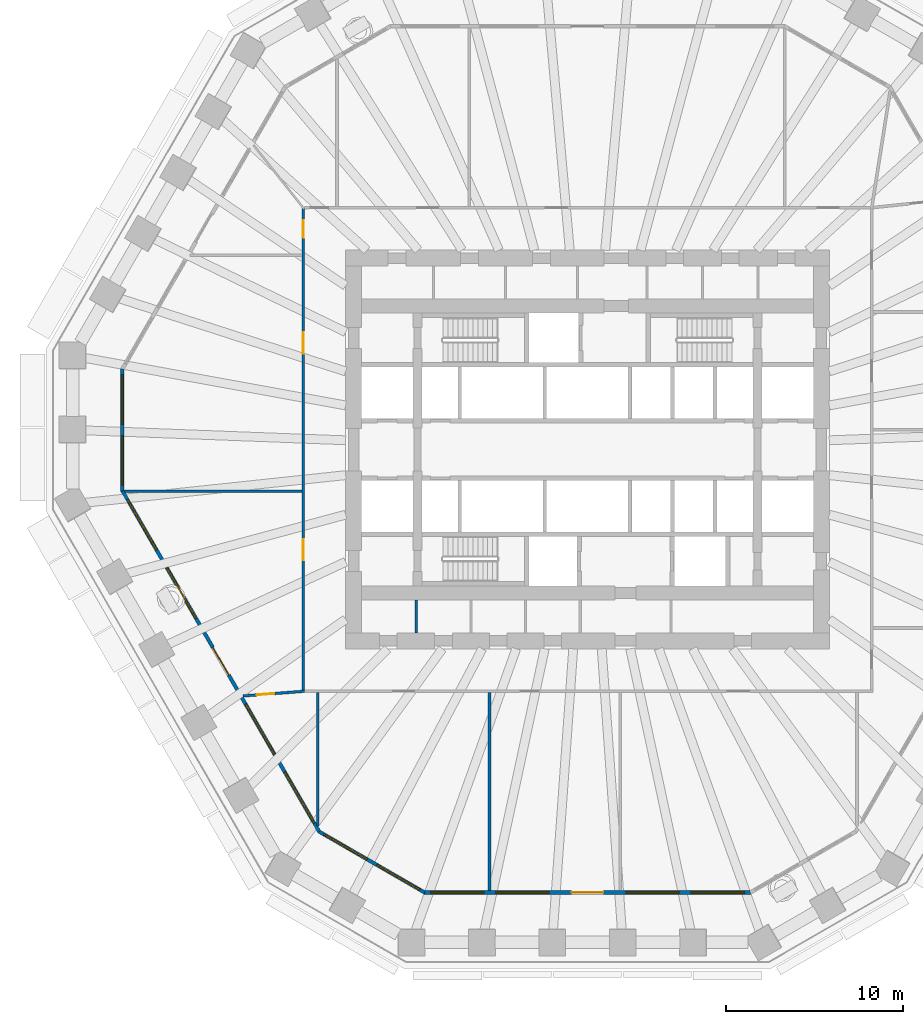
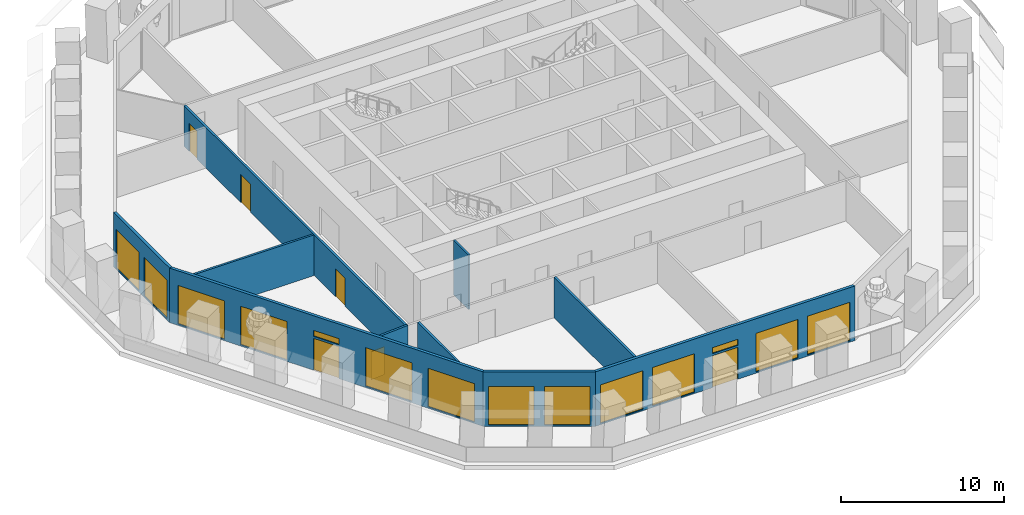
# One storey, part 3 of 12: 14 windows, 10 walls, 6 doors, 20 openings.
"""IFC4 building model written with IfcOpenShell, lengths in metres."""

from ifc_helpers import new_model, si_unit, direction, frame, frame_2d, origin, place, context, subcontext, project, spatial, polyline, rectangle, outline, extrude, material, layer, layer_set, type_object, element, fill, save


model = new_model("IFC4")

# Units and contexts
model_context = context("Model", 3, precision=1e-05, world=origin(), true_north=direction((0.0, 1.0)))
body_context = subcontext(model_context, "Body", "Model", "MODEL_VIEW")
ifc_project = project(units=[si_unit("LENGTHUNIT", "METRE"), si_unit("AREAUNIT", "SQUARE_METRE"), si_unit("VOLUMEUNIT", "CUBIC_METRE"), si_unit("PLANEANGLEUNIT", "RADIAN"), si_unit("MASSUNIT", "GRAM", prefix="KILO")], contexts=[model_context])

# Site, building, storey
site_placement = place(None, origin())
site = spatial("IfcSite", under=ifc_project, at=site_placement, CompositionType="ELEMENT")
building_placement = place(site_placement, origin())
building = spatial("IfcBuilding", under=site, at=building_placement, Name="Frailejon Research Tower", CompositionType="ELEMENT")
storey_placement = place(building_placement, frame((0.0, 0.0, 49.800048828125)))
storey = spatial("IfcBuildingStorey", under=building, at=storey_placement, Name="L11", CompositionType="ELEMENT", Elevation=49.800048828125)

# Wall
ifc_material_1 = material(Name="Plasterboard on steel studs", Category="steel")
ifc_layer_1 = layer(ifc_material_1, 0.125)
ifc_layer_set_1 = layer_set([ifc_layer_1], Name="Core partition 125")
wall_type_1 = type_object("IfcWallType", Name="Core partition 125", PredefinedType="PARTITIONING", material=ifc_layer_set_1)
wall_1_placement = place(storey_placement, frame((-9.66552734375, -10.35009765625, 0.0), z_axis=(0.0, 0.0, 1.0), x_axis=(0.0, 1.0, 0.0)))
element("IfcWall", 1, at=wall_1_placement, inside=storey, type_object=wall_type_1, Name="Core partition", PredefinedType="PARTITIONING", context=body_context, shape_type="SweptSolid", body=[
    extrude(rectangle(XDim=1.85009765625, YDim=0.125, at=frame_2d((0.925048828125, 0.0))), origin(), (0.0, 0.0, 1.0), 4.099853515625),
])

# Wall, openings, doors
ifc_material_2 = material(Name="Gypsum board and masonry partition", Category="masonry")
ifc_layer_2 = layer(ifc_material_2, 0.14990234375)
ifc_layer_set_2 = layer_set([ifc_layer_2], Name="Corridor wall EI 60, gypsum on steel studs 150")
wall_type_2 = type_object("IfcWallType", Name="Corridor wall EI 60, gypsum on steel studs 150", PredefinedType="PARTITIONING", material=ifc_layer_set_2)
wall_2_placement = place(storey_placement, frame((-16.050048828125, -13.574951171875, 0.0), z_axis=(0.0, 0.0, 1.0), x_axis=(0.0, 1.0, 0.0)))
wall_2 = element("IfcWall", 2, at=wall_2_placement, inside=storey, type_object=wall_type_2, Name="T:IW:L11:003", PredefinedType="PARTITIONING", context=body_context, shape_type="SweptSolid", body=[
    extrude(rectangle(XDim=27.175048828125, YDim=0.14990234375, at=frame_2d((13.58740234375, 0.0))), origin(), (0.0, 0.0, 1.0), 3.050048828125),
])
opening_1_placement = place(wall_2_placement, frame((25.52734375, 0.0, 0.0)))
opening_1 = element("IfcOpeningElement", 3, at=opening_1_placement, cuts=wall_2, Name="Opening D1410", PredefinedType="OPENING", context=body_context, shape_type="SweptSolid", body=[
    extrude(rectangle(XDim=1.0, YDim=2.10009765625, at=frame_2d((0.5, 1.050048828125))), frame((0.0, 0.0849609375, 0.0), z_axis=(0.0, -1.0, 0.0), x_axis=(1.0, 0.0, 0.0)), (0.0, 0.0, 1.0), 0.169921875),
])
opening_2_placement = place(wall_2_placement, frame((18.986572265625, 0.0, 0.0)))
opening_2 = element("IfcOpeningElement", 4, at=opening_2_placement, cuts=wall_2, Name="Opening D1411", PredefinedType="OPENING", context=body_context, shape_type="SweptSolid", body=[
    extrude(rectangle(XDim=1.199951171875, YDim=2.10009765625, at=frame_2d((0.60009765625, 1.050048828125))), frame((0.0, 0.0849609375, 0.0), z_axis=(0.0, -1.0, 0.0), x_axis=(1.0, 0.0, 0.0)), (0.0, 0.0, 1.0), 0.169921875),
])
opening_3_placement = place(wall_2_placement, frame((7.319091796875, 0.0, 0.0)))
opening_3 = element("IfcOpeningElement", 5, at=opening_3_placement, cuts=wall_2, Name="Opening D1412", PredefinedType="OPENING", context=body_context, shape_type="SweptSolid", body=[
    extrude(rectangle(XDim=1.199951171875, YDim=2.10009765625, at=frame_2d((0.60009765625, 1.050048828125))), frame((0.0, 0.0849609375, 0.0), z_axis=(0.0, -1.0, 0.0), x_axis=(1.0, 0.0, 0.0)), (0.0, 0.0, 1.0), 0.169921875),
])
ifc_material_3 = material(Name="Timber door leaf", Category="wood")
door_type_1 = type_object("IfcDoorType", Name="Door laboratory, timber, vision panel 1200", OperationType="NOTDEFINED", PredefinedType="DOOR", material=ifc_material_3)
door_1_placement = place(opening_2_placement, origin())
door_1 = element("IfcDoor", 6, at=door_1_placement, inside=storey, type_object=door_type_1, Name="D1411", OperationType="DOUBLE_DOOR_SINGLE_SWING", OverallHeight=2.10009765625, OverallWidth=1.199951171875, PredefinedType="DOOR", context=body_context, shape_type="SweptSolid", body=[
    extrude(rectangle(XDim=1.199951171875, YDim=2.10009765625, at=frame_2d((0.60009765625, 1.050048828125))), frame((0.0, 0.02490234375, 0.0), z_axis=(0.0, -1.0, 0.0), x_axis=(1.0, 0.0, 0.0)), (0.0, 0.0, 1.0), 0.050048828125),
])
fill(opening_2, door_1)
door_2_placement = place(opening_3_placement, origin())
door_2 = element("IfcDoor", 7, at=door_2_placement, inside=storey, type_object=door_type_1, Name="D1412", OperationType="DOUBLE_DOOR_SINGLE_SWING", OverallHeight=2.10009765625, OverallWidth=1.199951171875, PredefinedType="DOOR", context=body_context, shape_type="SweptSolid", body=[
    extrude(rectangle(XDim=1.199951171875, YDim=2.10009765625, at=frame_2d((0.60009765625, 1.050048828125))), frame((0.0, 0.02490234375, 0.0), z_axis=(0.0, -1.0, 0.0), x_axis=(1.0, 0.0, 0.0)), (0.0, 0.0, 1.0), 0.050048828125),
])
fill(opening_3, door_2)
ifc_material_4 = material(Name="Timber door leaf", Category="wood")
door_type_2 = type_object("IfcDoorType", Name="Door single leaf, timber, steel frame 1000", OperationType="NOTDEFINED", PredefinedType="DOOR", material=ifc_material_4)
door_3_placement = place(opening_1_placement, origin())
door_3 = element("IfcDoor", 8, at=door_3_placement, inside=storey, type_object=door_type_2, Name="D1410", OperationType="SINGLE_SWING_RIGHT", OverallHeight=2.10009765625, OverallWidth=1.0, PredefinedType="DOOR", context=body_context, shape_type="SweptSolid", body=[
    extrude(rectangle(XDim=1.0, YDim=2.10009765625, at=frame_2d((0.5, 1.050048828125))), frame((0.0, 0.02490234375, 0.0), z_axis=(0.0, -1.0, 0.0), x_axis=(1.0, 0.0, 0.0)), (0.0, 0.0, 1.0), 0.050048828125),
])
fill(opening_1, door_3)

# Wall
ifc_material_5 = material(Name="Gypsum board and masonry partition", Category="masonry")
ifc_layer_3 = layer(ifc_material_5, 0.14990234375)
ifc_layer_set_3 = layer_set([ifc_layer_3], Name="Laboratory partition, blockwork 150")
wall_type_3 = type_object("IfcWallType", Name="Laboratory partition, blockwork 150", PredefinedType="PARTITIONING", material=ifc_layer_set_3)
wall_3_placement = place(storey_placement, frame((-26.12060546875, -2.35791015625, 0.0), z_axis=(0.0, 0.0, 1.0), x_axis=(1.0, 0.0, 0.0)))
element("IfcWall", 9, at=wall_3_placement, inside=storey, type_object=wall_type_3, Name="T:IW:L11:013", PredefinedType="PARTITIONING", context=body_context, shape_type="SweptSolid", body=[
    extrude(rectangle(XDim=9.99560546875, YDim=0.14990234375, at=frame_2d((4.997802734375, 0.0))), origin(), (0.0, 0.0, 1.0), 3.050048828125),
])

# Wall, opening, door
wall_4_placement = place(storey_placement, frame((-19.4501953125, -13.911376953125, 0.0), z_axis=(0.0, 0.0, 1.0), x_axis=(0.997059427975, 0.076632219629, 0.0)))
wall_4 = element("IfcWall", 10, at=wall_4_placement, inside=storey, type_object=wall_type_3, Name="T:IW:L11:014", PredefinedType="PARTITIONING", context=body_context, shape_type="SweptSolid", body=[
    extrude(rectangle(XDim=3.4853515625, YDim=0.14990234375, at=frame_2d((1.74267578125, 0.0))), origin(), (0.0, 0.0, 1.0), 3.050048828125),
])
opening_4_placement = place(wall_4_placement, frame((0.777587890625, 0.0, 0.0)))
opening_4 = element("IfcOpeningElement", 11, at=opening_4_placement, cuts=wall_4, Name="Opening D1413", PredefinedType="OPENING", context=body_context, shape_type="SweptSolid", body=[
    extrude(rectangle(XDim=1.0, YDim=2.10009765625, at=frame_2d((0.5, 1.050048828125))), frame((0.0, 0.0849609375, 0.0), z_axis=(0.0, -1.0, 0.0), x_axis=(1.0, 0.0, 0.0)), (0.0, 0.0, 1.0), 0.169921875),
])
door_4_placement = place(opening_4_placement, origin())
door_4 = element("IfcDoor", 12, at=door_4_placement, inside=storey, type_object=door_type_2, Name="D1413", OperationType="SINGLE_SWING_RIGHT", OverallHeight=2.10009765625, OverallWidth=1.0, PredefinedType="DOOR", context=body_context, shape_type="SweptSolid", body=[
    extrude(rectangle(XDim=1.0, YDim=2.10009765625, at=frame_2d((0.5, 1.050048828125))), frame((0.0, 0.02490234375, 0.0), z_axis=(0.0, -1.0, 0.0), x_axis=(1.0, 0.0, 0.0)), (0.0, 0.0, 1.0), 0.050048828125),
])
fill(opening_4, door_4)

# Walls
wall_5_placement = place(storey_placement, frame((-15.2177734375, -21.2421875, 0.0), z_axis=(0.0, 0.0, 1.0), x_axis=(0.0, 1.0, 0.0)))
element("IfcWall", 13, at=wall_5_placement, inside=storey, type_object=wall_type_3, Name="T:IW:L11:015", PredefinedType="PARTITIONING", context=body_context, shape_type="SweptSolid", body=[
    extrude(rectangle(XDim=7.51708984375, YDim=0.14990234375, at=frame_2d((3.758544921875, 0.0))), origin(), (0.0, 0.0, 1.0), 3.050048828125),
])
wall_6_placement = place(storey_placement, frame((-5.530517578125, -24.90625, 0.0), z_axis=(0.0, 0.0, 1.0), x_axis=(0.0, 1.0, 0.0)))
element("IfcWall", 14, at=wall_6_placement, inside=storey, type_object=wall_type_3, Name="T:IW:L11:016", PredefinedType="PARTITIONING", context=body_context, shape_type="SweptSolid", body=[
    extrude(rectangle(XDim=11.18115234375, YDim=0.14990234375, at=frame_2d((5.590576171875, 0.0))), origin(), (0.0, 0.0, 1.0), 3.050048828125),
])

# Wall, openings, windows
ifc_material_6 = material(Name="Concrete C40/50 precast window wall panel", Category="concrete")
ifc_layer_4 = layer(ifc_material_6, 0.199951171875)
ifc_layer_set_4 = layer_set([ifc_layer_4], Name="Window wall 200")
wall_type_4 = type_object("IfcWallType", Name="Window wall 200", PredefinedType="SOLIDWALL", material=ifc_layer_set_4)
wall_7_placement = place(storey_placement, frame((-26.25146484375, 4.54345703125, 0.0), z_axis=(0.0, 0.0, 1.0), x_axis=(0.0, -1.0, 0.0)))
wall_7 = element("IfcWall", 15, at=wall_7_placement, inside=storey, type_object=wall_type_4, Name="Exterior wall L11", PredefinedType="SOLIDWALL", context=body_context, shape_type="SweptSolid", body=[
    extrude(outline(polyline([(-0.02685546875, -0.10009765625), (1.1279296875, -0.10009765625), (2.282470703125, -0.10009765625), (3.437255859375, -0.10009765625), (4.592041015625, -0.10009765625), (5.74658203125, -0.10009765625), (6.9013671875, -0.10009765625), (6.84765625, 0.10009765625), (5.7109375, 0.10009765625), (4.573974609375, 0.10009765625), (3.437255859375, 0.10009765625), (2.300537109375, 0.10009765625), (1.16357421875, 0.10009765625), (0.02685546875, 0.10009765625), (-0.02685546875, -0.10009765625)])), origin(), (0.0, 0.0, 1.0), 4.099853515625),
])
opening_5_placement = place(wall_7_placement, frame((0.318603515625, 0.0, 0.10009765625)))
opening_5 = element("IfcOpeningElement", 16, at=opening_5_placement, cuts=wall_7, Name="Opening W3", PredefinedType="OPENING", context=body_context, shape_type="SweptSolid", body=[
    extrude(rectangle(XDim=2.800048828125, YDim=2.89990234375, at=frame_2d((1.39990234375, 1.449951171875))), frame((0.0, 0.10986328125, 0.0), z_axis=(0.0, -1.0, 0.0), x_axis=(1.0, 0.0, 0.0)), (0.0, 0.0, 1.0), 0.219970703125),
])
opening_6_placement = place(wall_7_placement, frame((3.756103515625, 0.0, 0.10009765625)))
opening_6 = element("IfcOpeningElement", 17, at=opening_6_placement, cuts=wall_7, Name="Opening W3", PredefinedType="OPENING", context=body_context, shape_type="SweptSolid", body=[
    extrude(rectangle(XDim=2.800048828125, YDim=2.89990234375, at=frame_2d((1.39990234375, 1.449951171875))), frame((0.0, 0.10986328125, 0.0), z_axis=(0.0, -1.0, 0.0), x_axis=(1.0, 0.0, 0.0)), (0.0, 0.0, 1.0), 0.219970703125),
])
ifc_material_7 = material(Name="Aluminium framed double glazing", Category="aluminium")
window_type_1 = type_object("IfcWindowType", Name="Window 2800x2900", PartitioningType="SINGLE_PANEL", PredefinedType="WINDOW", material=ifc_material_7)
window_1_placement = place(opening_5_placement, origin())
window_1 = element("IfcWindow", 18, at=window_1_placement, inside=storey, type_object=window_type_1, Name="Window L11", OverallHeight=2.89990234375, OverallWidth=2.800048828125, PartitioningType="SINGLE_PANEL", PredefinedType="WINDOW", context=body_context, shape_type="SweptSolid", body=[
    extrude(rectangle(XDim=2.800048828125, YDim=2.89990234375, at=frame_2d((1.39990234375, 1.449951171875))), frame((0.0, 0.030029296875, 0.0), z_axis=(0.0, -1.0, 0.0), x_axis=(1.0, 0.0, 0.0)), (0.0, 0.0, 1.0), 0.06005859375),
])
fill(opening_5, window_1)
window_2_placement = place(opening_6_placement, origin())
window_2 = element("IfcWindow", 19, at=window_2_placement, inside=storey, type_object=window_type_1, Name="Window L11", OverallHeight=2.89990234375, OverallWidth=2.800048828125, PartitioningType="SINGLE_PANEL", PredefinedType="WINDOW", context=body_context, shape_type="SweptSolid", body=[
    extrude(rectangle(XDim=2.800048828125, YDim=2.89990234375, at=frame_2d((1.39990234375, 1.449951171875))), frame((0.0, 0.030029296875, 0.0), z_axis=(0.0, -1.0, 0.0), x_axis=(1.0, 0.0, 0.0)), (0.0, 0.0, 1.0), 0.06005859375),
])
fill(opening_6, window_2)

# Wall, openings, door, windows
wall_8_placement = place(storey_placement, frame((-26.25146484375, -2.3310546875, 0.0), z_axis=(0.0, 0.0, 1.0), x_axis=(0.499999616612, -0.866025625133, 0.0)))
wall_8 = element("IfcWall", 20, at=wall_8_placement, inside=storey, type_object=wall_type_4, Name="Exterior wall L11", PredefinedType="SOLIDWALL", context=body_context, shape_type="SweptSolid", body=[
    extrude(outline(polyline([(-0.02685546875, -0.10009765625), (0.9853515625, -0.10009765625), (1.99755859375, -0.10009765625), (3.009521484375, -0.10009765625), (4.021728515625, -0.10009765625), (5.033935546875, -0.10009765625), (6.046142578125, -0.10009765625), (7.058349609375, -0.10009765625), (8.070556640625, -0.10009765625), (9.08251953125, -0.10009765625), (10.0947265625, -0.10009765625), (11.10693359375, -0.10009765625), (12.119140625, -0.10009765625), (13.13134765625, -0.10009765625), (14.143310546875, -0.10009765625), (15.155517578125, -0.10009765625), (16.167724609375, -0.10009765625), (17.179931640625, -0.10009765625), (18.192138671875, -0.10009765625), (19.204345703125, -0.10009765625), (20.21630859375, -0.10009765625), (21.228515625, -0.10009765625), (22.24072265625, -0.10009765625), (22.18701171875, 0.10009765625), (21.1796875, 0.10009765625), (20.17236328125, 0.10009765625), (19.165283203125, 0.10009765625), (18.157958984375, 0.10009765625), (17.150634765625, 0.10009765625), (16.143310546875, 0.10009765625), (15.135986328125, 0.10009765625), (14.128662109375, 0.10009765625), (13.12158203125, 0.10009765625), (12.1142578125, 0.10009765625), (11.10693359375, 0.10009765625), (10.099609375, 0.10009765625), (9.09228515625, 0.10009765625), (8.085205078125, 0.10009765625), (7.077880859375, 0.10009765625), (6.070556640625, 0.10009765625), (5.063232421875, 0.10009765625), (4.055908203125, 0.10009765625), (3.048583984375, 0.10009765625), (2.04150390625, 0.10009765625), (1.0341796875, 0.10009765625), (0.02685546875, 0.10009765625), (-0.02685546875, -0.10009765625)])), origin(), (0.0, 0.0, 1.0), 4.099853515625),
])
opening_7_placement = place(wall_8_placement, frame((0.5712890625, 0.0, 0.10009765625)))
opening_7 = element("IfcOpeningElement", 21, at=opening_7_placement, cuts=wall_8, Name="Opening W5", PredefinedType="OPENING", context=body_context, shape_type="SweptSolid", body=[
    extrude(rectangle(XDim=3.300048828125, YDim=2.89990234375, at=frame_2d((1.64990234375, 1.449951171875))), frame((0.0, 0.10986328125, 0.0), z_axis=(0.0, -1.0, 0.0), x_axis=(1.0, 0.0, 0.0)), (0.0, 0.0, 1.0), 0.219970703125),
])
opening_8_placement = place(wall_8_placement, frame((5.01416015625, 0.0, 0.10009765625)))
opening_8 = element("IfcOpeningElement", 22, at=opening_8_placement, cuts=wall_8, Name="Opening W5", PredefinedType="OPENING", context=body_context, shape_type="SweptSolid", body=[
    extrude(rectangle(XDim=3.300048828125, YDim=2.89990234375, at=frame_2d((1.64990234375, 1.449951171875))), frame((0.0, 0.10986328125, 0.0), z_axis=(0.0, -1.0, 0.0), x_axis=(1.0, 0.0, 0.0)), (0.0, 0.0, 1.0), 0.219970703125),
])
opening_9_placement = place(wall_8_placement, frame((10.206787109375, 0.0, 0.0)))
opening_9 = element("IfcOpeningElement", 23, at=opening_9_placement, cuts=wall_8, Name="Opening LG11-4", PredefinedType="OPENING", context=body_context, shape_type="SweptSolid", body=[
    extrude(rectangle(XDim=1.800048828125, YDim=2.39990234375, at=frame_2d((0.89990234375, 1.199951171875))), frame((0.0, 0.10986328125, 0.0), z_axis=(0.0, -1.0, 0.0), x_axis=(1.0, 0.0, 0.0)), (0.0, 0.0, 1.0), 0.219970703125),
])
opening_10_placement = place(wall_8_placement, frame((10.206787109375, 0.0, 2.550048828125)))
opening_10 = element("IfcOpeningElement", 24, at=opening_10_placement, cuts=wall_8, Name="Opening W1", PredefinedType="OPENING", context=body_context, shape_type="SweptSolid", body=[
    extrude(rectangle(XDim=1.800048828125, YDim=0.449951171875, at=frame_2d((0.89990234375, 0.22509765625))), frame((0.0, 0.10986328125, 0.0), z_axis=(0.0, -1.0, 0.0), x_axis=(1.0, 0.0, 0.0)), (0.0, 0.0, 1.0), 0.219970703125),
])
opening_11_placement = place(wall_8_placement, frame((13.899658203125, 0.0, 0.10009765625)))
opening_11 = element("IfcOpeningElement", 25, at=opening_11_placement, cuts=wall_8, Name="Opening W5", PredefinedType="OPENING", context=body_context, shape_type="SweptSolid", body=[
    extrude(rectangle(XDim=3.300048828125, YDim=2.89990234375, at=frame_2d((1.64990234375, 1.449951171875))), frame((0.0, 0.10986328125, 0.0), z_axis=(0.0, -1.0, 0.0), x_axis=(1.0, 0.0, 0.0)), (0.0, 0.0, 1.0), 0.219970703125),
])
opening_12_placement = place(wall_8_placement, frame((18.342529296875, 0.0, 0.10009765625)))
opening_12 = element("IfcOpeningElement", 26, at=opening_12_placement, cuts=wall_8, Name="Opening W5", PredefinedType="OPENING", context=body_context, shape_type="SweptSolid", body=[
    extrude(rectangle(XDim=3.300048828125, YDim=2.89990234375, at=frame_2d((1.64990234375, 1.449951171875))), frame((0.0, 0.10986328125, 0.0), z_axis=(0.0, -1.0, 0.0), x_axis=(1.0, 0.0, 0.0)), (0.0, 0.0, 1.0), 0.219970703125),
])
ifc_material_8 = material(Name="Aluminium framed glazed door leaf", Category="aluminium")
door_type_3 = type_object("IfcDoorType", Name="Loggia door 1800x2400", OperationType="DOUBLE_DOOR_SINGLE_SWING", PredefinedType="DOOR", material=ifc_material_8)
door_5_placement = place(opening_9_placement, origin())
door_5 = element("IfcDoor", 27, at=door_5_placement, inside=storey, type_object=door_type_3, Name="Door LG11-4", OperationType="DOUBLE_DOOR_SINGLE_SWING", OverallHeight=2.39990234375, OverallWidth=1.800048828125, PredefinedType="DOOR", context=body_context, shape_type="SweptSolid", body=[
    extrude(rectangle(XDim=1.800048828125, YDim=2.39990234375, at=frame_2d((0.89990234375, 1.199951171875))), frame((0.0, 0.02490234375, 0.0), z_axis=(0.0, -1.0, 0.0), x_axis=(1.0, 0.0, 0.0)), (0.0, 0.0, 1.0), 0.050048828125),
])
fill(opening_9, door_5)
ifc_material_9 = material(Name="Aluminium framed double glazing", Category="aluminium")
window_type_2 = type_object("IfcWindowType", Name="Window 1800x450", PartitioningType="SINGLE_PANEL", PredefinedType="WINDOW", material=ifc_material_9)
window_3_placement = place(opening_10_placement, origin())
window_3 = element("IfcWindow", 28, at=window_3_placement, inside=storey, type_object=window_type_2, Name="Window L11", OverallHeight=0.449951171875, OverallWidth=1.800048828125, PartitioningType="SINGLE_PANEL", PredefinedType="WINDOW", context=body_context, shape_type="SweptSolid", body=[
    extrude(rectangle(XDim=1.800048828125, YDim=0.449951171875, at=frame_2d((0.89990234375, 0.22509765625))), frame((0.0, 0.030029296875, 0.0), z_axis=(0.0, -1.0, 0.0), x_axis=(1.0, 0.0, 0.0)), (0.0, 0.0, 1.0), 0.06005859375),
])
fill(opening_10, window_3)
ifc_material_10 = material(Name="Aluminium framed double glazing", Category="aluminium")
window_type_3 = type_object("IfcWindowType", Name="Window 3300x2900", PartitioningType="SINGLE_PANEL", PredefinedType="WINDOW", material=ifc_material_10)
window_4_placement = place(opening_7_placement, origin())
window_4 = element("IfcWindow", 29, at=window_4_placement, inside=storey, type_object=window_type_3, Name="Window L11", OverallHeight=2.89990234375, OverallWidth=3.300048828125, PartitioningType="SINGLE_PANEL", PredefinedType="WINDOW", context=body_context, shape_type="SweptSolid", body=[
    extrude(rectangle(XDim=3.300048828125, YDim=2.89990234375, at=frame_2d((1.64990234375, 1.449951171875))), frame((0.0, 0.030029296875, 0.0), z_axis=(0.0, -1.0, 0.0), x_axis=(1.0, 0.0, 0.0)), (0.0, 0.0, 1.0), 0.06005859375),
])
fill(opening_7, window_4)
window_5_placement = place(opening_8_placement, origin())
window_5 = element("IfcWindow", 30, at=window_5_placement, inside=storey, type_object=window_type_3, Name="Window L11", OverallHeight=2.89990234375, OverallWidth=3.300048828125, PartitioningType="SINGLE_PANEL", PredefinedType="WINDOW", context=body_context, shape_type="SweptSolid", body=[
    extrude(rectangle(XDim=3.300048828125, YDim=2.89990234375, at=frame_2d((1.64990234375, 1.449951171875))), frame((0.0, 0.030029296875, 0.0), z_axis=(0.0, -1.0, 0.0), x_axis=(1.0, 0.0, 0.0)), (0.0, 0.0, 1.0), 0.06005859375),
])
fill(opening_8, window_5)
window_6_placement = place(opening_11_placement, origin())
window_6 = element("IfcWindow", 31, at=window_6_placement, inside=storey, type_object=window_type_3, Name="Window L11", OverallHeight=2.89990234375, OverallWidth=3.300048828125, PartitioningType="SINGLE_PANEL", PredefinedType="WINDOW", context=body_context, shape_type="SweptSolid", body=[
    extrude(rectangle(XDim=3.300048828125, YDim=2.89990234375, at=frame_2d((1.64990234375, 1.449951171875))), frame((0.0, 0.030029296875, 0.0), z_axis=(0.0, -1.0, 0.0), x_axis=(1.0, 0.0, 0.0)), (0.0, 0.0, 1.0), 0.06005859375),
])
fill(opening_11, window_6)
window_7_placement = place(opening_12_placement, origin())
window_7 = element("IfcWindow", 32, at=window_7_placement, inside=storey, type_object=window_type_3, Name="Window L11", OverallHeight=2.89990234375, OverallWidth=3.300048828125, PartitioningType="SINGLE_PANEL", PredefinedType="WINDOW", context=body_context, shape_type="SweptSolid", body=[
    extrude(rectangle(XDim=3.300048828125, YDim=2.89990234375, at=frame_2d((1.64990234375, 1.449951171875))), frame((0.0, 0.030029296875, 0.0), z_axis=(0.0, -1.0, 0.0), x_axis=(1.0, 0.0, 0.0)), (0.0, 0.0, 1.0), 0.06005859375),
])
fill(opening_12, window_7)

# Wall, openings, windows
wall_9_placement = place(storey_placement, frame((-15.14453125, -21.56884765625, 0.0), z_axis=(0.0, 0.0, 1.0), x_axis=(0.866029458321, -0.49999297727, 0.0)))
wall_9 = element("IfcWall", 33, at=wall_9_placement, inside=storey, type_object=wall_type_4, Name="Exterior wall L11", PredefinedType="SOLIDWALL", context=body_context, shape_type="SweptSolid", body=[
    extrude(outline(polyline([(-0.02685546875, -0.10009765625), (1.1279296875, -0.10009765625), (2.282470703125, -0.10009765625), (3.437255859375, -0.10009765625), (4.592041015625, -0.10009765625), (5.74658203125, -0.10009765625), (6.9013671875, -0.10009765625), (6.84765625, 0.10009765625), (5.7109375, 0.10009765625), (4.573974609375, 0.10009765625), (3.437255859375, 0.10009765625), (2.300537109375, 0.10009765625), (1.16357421875, 0.10009765625), (0.02685546875, 0.10009765625), (-0.02685546875, -0.10009765625)])), origin(), (0.0, 0.0, 1.0), 4.099853515625),
])
opening_13_placement = place(wall_9_placement, frame((0.318603515625, 0.0, 0.10009765625)))
opening_13 = element("IfcOpeningElement", 34, at=opening_13_placement, cuts=wall_9, Name="Opening W3", PredefinedType="OPENING", context=body_context, shape_type="SweptSolid", body=[
    extrude(rectangle(XDim=2.800048828125, YDim=2.89990234375, at=frame_2d((1.39990234375, 1.449951171875))), frame((0.0, 0.10986328125, 0.0), z_axis=(0.0, -1.0, 0.0), x_axis=(1.0, 0.0, 0.0)), (0.0, 0.0, 1.0), 0.219970703125),
])
opening_14_placement = place(wall_9_placement, frame((3.756103515625, 0.0, 0.10009765625)))
opening_14 = element("IfcOpeningElement", 35, at=opening_14_placement, cuts=wall_9, Name="Opening W3", PredefinedType="OPENING", context=body_context, shape_type="SweptSolid", body=[
    extrude(rectangle(XDim=2.800048828125, YDim=2.89990234375, at=frame_2d((1.39990234375, 1.449951171875))), frame((0.0, 0.10986328125, 0.0), z_axis=(0.0, -1.0, 0.0), x_axis=(1.0, 0.0, 0.0)), (0.0, 0.0, 1.0), 0.219970703125),
])
window_8_placement = place(opening_13_placement, origin())
window_8 = element("IfcWindow", 36, at=window_8_placement, inside=storey, type_object=window_type_1, Name="Window L11", OverallHeight=2.89990234375, OverallWidth=2.800048828125, PartitioningType="SINGLE_PANEL", PredefinedType="WINDOW", context=body_context, shape_type="SweptSolid", body=[
    extrude(rectangle(XDim=2.800048828125, YDim=2.89990234375, at=frame_2d((1.39990234375, 1.449951171875))), frame((0.0, 0.030029296875, 0.0), z_axis=(0.0, -1.0, 0.0), x_axis=(1.0, 0.0, 0.0)), (0.0, 0.0, 1.0), 0.06005859375),
])
fill(opening_13, window_8)
window_9_placement = place(opening_14_placement, origin())
window_9 = element("IfcWindow", 37, at=window_9_placement, inside=storey, type_object=window_type_1, Name="Window L11", OverallHeight=2.89990234375, OverallWidth=2.800048828125, PartitioningType="SINGLE_PANEL", PredefinedType="WINDOW", context=body_context, shape_type="SweptSolid", body=[
    extrude(rectangle(XDim=2.800048828125, YDim=2.89990234375, at=frame_2d((1.39990234375, 1.449951171875))), frame((0.0, 0.030029296875, 0.0), z_axis=(0.0, -1.0, 0.0), x_axis=(1.0, 0.0, 0.0)), (0.0, 0.0, 1.0), 0.06005859375),
])
fill(opening_14, window_9)

# Wall, openings, door, windows
wall_10_placement = place(storey_placement, frame((-9.19091796875, -25.006103515625, 0.0), z_axis=(0.0, 0.0, 1.0), x_axis=(1.0, 0.0, 0.0)))
wall_10 = element("IfcWall", 38, at=wall_10_placement, inside=storey, type_object=wall_type_4, Name="Exterior wall L11", PredefinedType="SOLIDWALL", context=body_context, shape_type="SweptSolid", body=[
    extrude(outline(polyline([(-0.02685546875, -0.10009765625), (0.997314453125, -0.10009765625), (2.021484375, -0.10009765625), (3.045654296875, -0.10009765625), (4.06982421875, -0.10009765625), (5.09423828125, -0.10009765625), (6.118408203125, -0.10009765625), (7.142578125, -0.10009765625), (8.166748046875, -0.10009765625), (9.19091796875, -0.10009765625), (10.215087890625, -0.10009765625), (11.2392578125, -0.10009765625), (12.263427734375, -0.10009765625), (13.28759765625, -0.10009765625), (14.31201171875, -0.10009765625), (15.336181640625, -0.10009765625), (16.3603515625, -0.10009765625), (17.384521484375, -0.10009765625), (18.40869140625, -0.10009765625), (18.35498046875, 0.10009765625), (17.336669921875, 0.10009765625), (16.318603515625, 0.10009765625), (15.30029296875, 0.10009765625), (14.281982421875, 0.10009765625), (13.263916015625, 0.10009765625), (12.24560546875, 0.10009765625), (11.227294921875, 0.10009765625), (10.209228515625, 0.10009765625), (9.19091796875, 0.10009765625), (8.172607421875, 0.10009765625), (7.154541015625, 0.10009765625), (6.13623046875, 0.10009765625), (5.117919921875, 0.10009765625), (4.099853515625, 0.10009765625), (3.08154296875, 0.10009765625), (2.063232421875, 0.10009765625), (1.045166015625, 0.10009765625), (0.02685546875, 0.10009765625), (-0.02685546875, -0.10009765625)])), origin(), (0.0, 0.0, 1.0), 4.099853515625),
])
opening_15_placement = place(wall_10_placement, frame((0.338134765625, 0.0, 0.10009765625)))
opening_15 = element("IfcOpeningElement", 39, at=opening_15_placement, cuts=wall_10, Name="Opening W4", PredefinedType="OPENING", context=body_context, shape_type="SweptSolid", body=[
    extrude(rectangle(XDim=3.0, YDim=2.89990234375, at=frame_2d((1.5, 1.449951171875))), frame((0.0, 0.10986328125, 0.0), z_axis=(0.0, -1.0, 0.0), x_axis=(1.0, 0.0, 0.0)), (0.0, 0.0, 1.0), 0.219970703125),
])
opening_16_placement = place(wall_10_placement, frame((4.0146484375, 0.0, 0.10009765625)))
opening_16 = element("IfcOpeningElement", 40, at=opening_16_placement, cuts=wall_10, Name="Opening W4", PredefinedType="OPENING", context=body_context, shape_type="SweptSolid", body=[
    extrude(rectangle(XDim=3.0, YDim=2.89990234375, at=frame_2d((1.5, 1.449951171875))), frame((0.0, 0.10986328125, 0.0), z_axis=(0.0, -1.0, 0.0), x_axis=(1.0, 0.0, 0.0)), (0.0, 0.0, 1.0), 0.219970703125),
])
opening_17_placement = place(wall_10_placement, frame((8.291015625, 0.0, 0.0)))
opening_17 = element("IfcOpeningElement", 41, at=opening_17_placement, cuts=wall_10, Name="Opening LG11-5", PredefinedType="OPENING", context=body_context, shape_type="SweptSolid", body=[
    extrude(rectangle(XDim=1.800048828125, YDim=2.39990234375, at=frame_2d((0.89990234375, 1.199951171875))), frame((0.0, 0.10986328125, 0.0), z_axis=(0.0, -1.0, 0.0), x_axis=(1.0, 0.0, 0.0)), (0.0, 0.0, 1.0), 0.219970703125),
])
opening_18_placement = place(wall_10_placement, frame((8.291015625, 0.0, 2.550048828125)))
opening_18 = element("IfcOpeningElement", 42, at=opening_18_placement, cuts=wall_10, Name="Opening W1", PredefinedType="OPENING", context=body_context, shape_type="SweptSolid", body=[
    extrude(rectangle(XDim=1.800048828125, YDim=0.449951171875, at=frame_2d((0.89990234375, 0.22509765625))), frame((0.0, 0.10986328125, 0.0), z_axis=(0.0, -1.0, 0.0), x_axis=(1.0, 0.0, 0.0)), (0.0, 0.0, 1.0), 0.219970703125),
])
opening_19_placement = place(wall_10_placement, frame((11.3671875, 0.0, 0.10009765625)))
opening_19 = element("IfcOpeningElement", 43, at=opening_19_placement, cuts=wall_10, Name="Opening W4", PredefinedType="OPENING", context=body_context, shape_type="SweptSolid", body=[
    extrude(rectangle(XDim=3.0, YDim=2.89990234375, at=frame_2d((1.5, 1.449951171875))), frame((0.0, 0.10986328125, 0.0), z_axis=(0.0, -1.0, 0.0), x_axis=(1.0, 0.0, 0.0)), (0.0, 0.0, 1.0), 0.219970703125),
])
opening_20_placement = place(wall_10_placement, frame((15.043701171875, 0.0, 0.10009765625)))
opening_20 = element("IfcOpeningElement", 44, at=opening_20_placement, cuts=wall_10, Name="Opening W4", PredefinedType="OPENING", context=body_context, shape_type="SweptSolid", body=[
    extrude(rectangle(XDim=3.0, YDim=2.89990234375, at=frame_2d((1.5, 1.449951171875))), frame((0.0, 0.10986328125, 0.0), z_axis=(0.0, -1.0, 0.0), x_axis=(1.0, 0.0, 0.0)), (0.0, 0.0, 1.0), 0.219970703125),
])
door_6_placement = place(opening_17_placement, origin())
door_6 = element("IfcDoor", 45, at=door_6_placement, inside=storey, type_object=door_type_3, Name="Door LG11-5", OperationType="DOUBLE_DOOR_SINGLE_SWING", OverallHeight=2.39990234375, OverallWidth=1.800048828125, PredefinedType="DOOR", context=body_context, shape_type="SweptSolid", body=[
    extrude(rectangle(XDim=1.800048828125, YDim=2.39990234375, at=frame_2d((0.89990234375, 1.199951171875))), frame((0.0, 0.02490234375, 0.0), z_axis=(0.0, -1.0, 0.0), x_axis=(1.0, 0.0, 0.0)), (0.0, 0.0, 1.0), 0.050048828125),
])
fill(opening_17, door_6)
window_10_placement = place(opening_18_placement, origin())
window_10 = element("IfcWindow", 46, at=window_10_placement, inside=storey, type_object=window_type_2, Name="Window L11", OverallHeight=0.449951171875, OverallWidth=1.800048828125, PartitioningType="SINGLE_PANEL", PredefinedType="WINDOW", context=body_context, shape_type="SweptSolid", body=[
    extrude(rectangle(XDim=1.800048828125, YDim=0.449951171875, at=frame_2d((0.89990234375, 0.22509765625))), frame((0.0, 0.030029296875, 0.0), z_axis=(0.0, -1.0, 0.0), x_axis=(1.0, 0.0, 0.0)), (0.0, 0.0, 1.0), 0.06005859375),
])
fill(opening_18, window_10)
ifc_material_11 = material(Name="Aluminium framed double glazing", Category="aluminium")
window_type_4 = type_object("IfcWindowType", Name="Window 3000x2900", PartitioningType="SINGLE_PANEL", PredefinedType="WINDOW", material=ifc_material_11)
window_11_placement = place(opening_15_placement, origin())
window_11 = element("IfcWindow", 47, at=window_11_placement, inside=storey, type_object=window_type_4, Name="Window L11", OverallHeight=2.89990234375, OverallWidth=3.0, PartitioningType="SINGLE_PANEL", PredefinedType="WINDOW", context=body_context, shape_type="SweptSolid", body=[
    extrude(rectangle(XDim=3.0, YDim=2.89990234375, at=frame_2d((1.5, 1.449951171875))), frame((0.0, 0.030029296875, 0.0), z_axis=(0.0, -1.0, 0.0), x_axis=(1.0, 0.0, 0.0)), (0.0, 0.0, 1.0), 0.06005859375),
])
fill(opening_15, window_11)
window_12_placement = place(opening_16_placement, origin())
window_12 = element("IfcWindow", 48, at=window_12_placement, inside=storey, type_object=window_type_4, Name="Window L11", OverallHeight=2.89990234375, OverallWidth=3.0, PartitioningType="SINGLE_PANEL", PredefinedType="WINDOW", context=body_context, shape_type="SweptSolid", body=[
    extrude(rectangle(XDim=3.0, YDim=2.89990234375, at=frame_2d((1.5, 1.449951171875))), frame((0.0, 0.030029296875, 0.0), z_axis=(0.0, -1.0, 0.0), x_axis=(1.0, 0.0, 0.0)), (0.0, 0.0, 1.0), 0.06005859375),
])
fill(opening_16, window_12)
window_13_placement = place(opening_19_placement, origin())
window_13 = element("IfcWindow", 49, at=window_13_placement, inside=storey, type_object=window_type_4, Name="Window L11", OverallHeight=2.89990234375, OverallWidth=3.0, PartitioningType="SINGLE_PANEL", PredefinedType="WINDOW", context=body_context, shape_type="SweptSolid", body=[
    extrude(rectangle(XDim=3.0, YDim=2.89990234375, at=frame_2d((1.5, 1.449951171875))), frame((0.0, 0.030029296875, 0.0), z_axis=(0.0, -1.0, 0.0), x_axis=(1.0, 0.0, 0.0)), (0.0, 0.0, 1.0), 0.06005859375),
])
fill(opening_19, window_13)
window_14_placement = place(opening_20_placement, origin())
window_14 = element("IfcWindow", 50, at=window_14_placement, inside=storey, type_object=window_type_4, Name="Window L11", OverallHeight=2.89990234375, OverallWidth=3.0, PartitioningType="SINGLE_PANEL", PredefinedType="WINDOW", context=body_context, shape_type="SweptSolid", body=[
    extrude(rectangle(XDim=3.0, YDim=2.89990234375, at=frame_2d((1.5, 1.449951171875))), frame((0.0, 0.030029296875, 0.0), z_axis=(0.0, -1.0, 0.0), x_axis=(1.0, 0.0, 0.0)), (0.0, 0.0, 1.0), 0.06005859375),
])
fill(opening_20, window_14)

save(model, "model.ifc")
